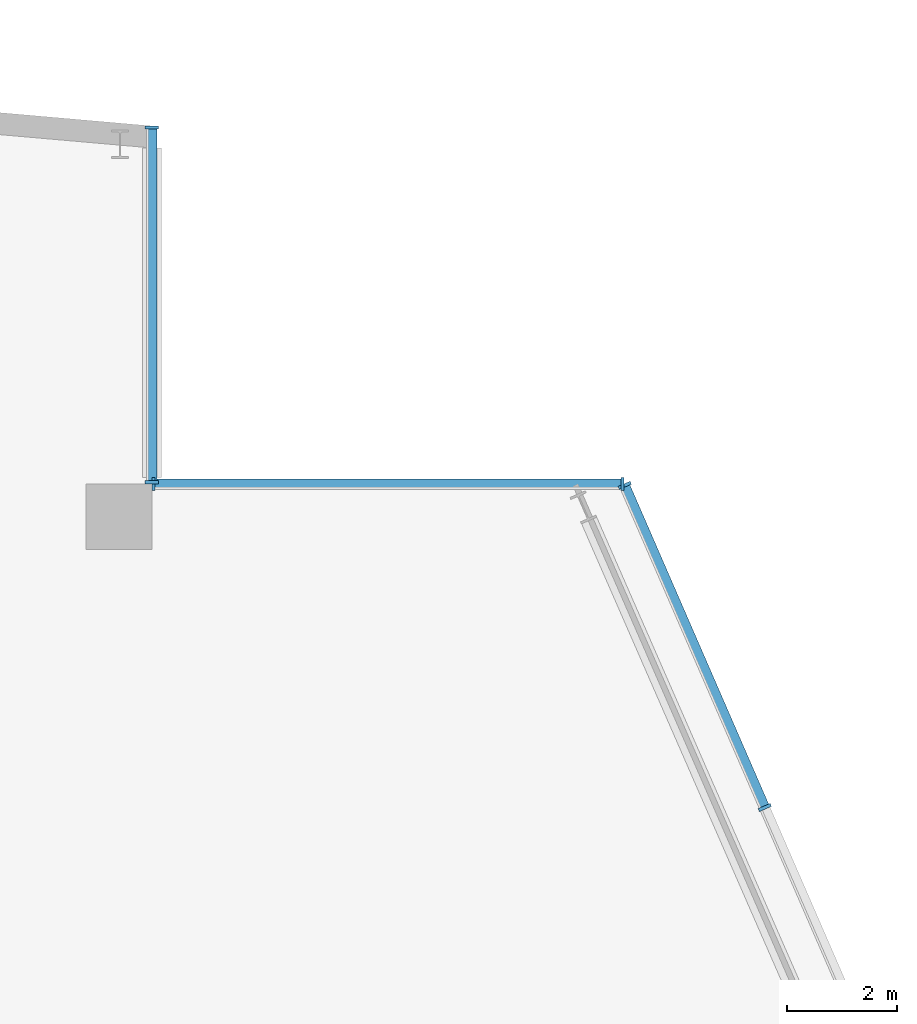
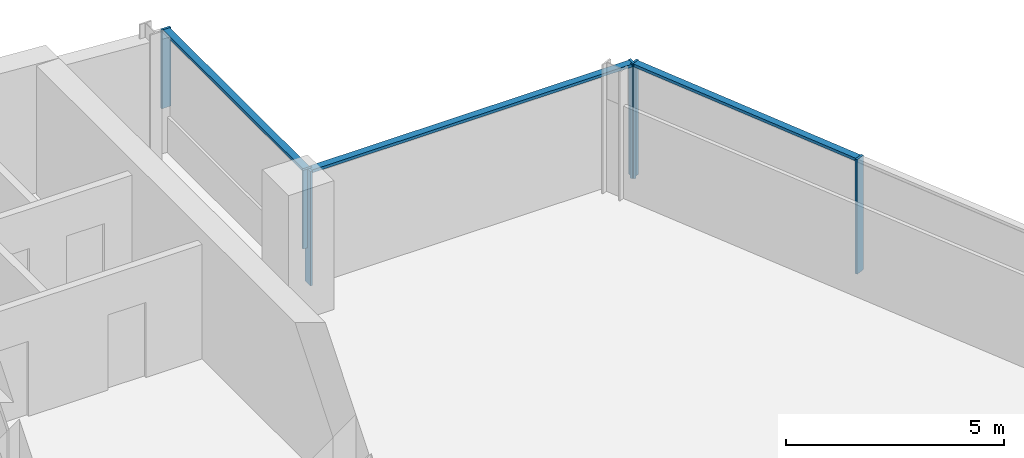
# One storey, part 10 of 22: 9 members, 3 elements without a shape of their own.
"""IFC4 building model written with IfcOpenShell, lengths in metres."""

from ifc_helpers import new_model, si_unit, direction, frame, origin, origin_2d, place, context, subcontext, project, spatial, rectangle, extrude, material, material_profile, profile_set, type_object, element, aggregate, save


model = new_model("IFC4")

# Units and contexts
model_context = context("Model", 3, precision=1e-05, world=origin(), true_north=direction((0.0, 1.0)))
body_context = subcontext(model_context, "Body", "Model", "MODEL_VIEW")
ifc_project = project(units=[si_unit("LENGTHUNIT", "METRE"), si_unit("AREAUNIT", "SQUARE_METRE"), si_unit("VOLUMEUNIT", "CUBIC_METRE"), si_unit("PLANEANGLEUNIT", "RADIAN"), si_unit("MASSUNIT", "GRAM", prefix="KILO")], contexts=[model_context])

# Site, building, storey
site_placement = place(None, origin())
site = spatial("IfcSite", under=ifc_project, at=site_placement, CompositionType="ELEMENT")
building_placement = place(site_placement, origin())
building = spatial("IfcBuilding", under=site, at=building_placement, Name="Wharfspan Tower", CompositionType="ELEMENT")
storey_placement = place(building_placement, frame((0.0, 0.0, 246.699951)))
storey = spatial("IfcBuildingStorey", under=building, at=storey_placement, Name="L62", CompositionType="ELEMENT", Elevation=246.699951)

# Curtain wall, members
ifc_material = material(Name="Aluminium 6063-T6", Category="aluminium")
curtain_wall_type = type_object("IfcCurtainWallType", Name="CURTAIN WALL PROW AND END", PredefinedType="NOTDEFINED", material=ifc_material)
curtain_wall_1_placement = place(storey_placement, origin())
curtain_wall_1 = element("IfcCurtainWall", 1, at=curtain_wall_1_placement, inside=storey, type_object=curtain_wall_type, Name="Curtain wall E", PredefinedType="NOTDEFINED")
ifc_material_profile_1 = material_profile(ifc_material, rectangle(XDim=0.23999, YDim=0.060059, at=origin_2d()))
ifc_profile_set_1 = profile_set([ifc_material_profile_1], Name="Aluminium 6063-T6")
member_type_1 = type_object("IfcMemberType", Name="MULLION PROW AND END 60x240", PredefinedType="MULLION", material=ifc_profile_set_1)
member_1_placement = place(storey_placement, frame((72.173828, 36.100098, 0.0), z_axis=(0.0, 0.0, 1.0), x_axis=(-0.917072, -0.398727, 0.0)))
member_1 = element("IfcMember", 2, at=member_1_placement, type_object=member_type_1, Name="Curtain wall E mullion 6", PredefinedType="MULLION", context=body_context, shape_type="SweptSolid", body=[
    extrude(rectangle(XDim=0.23999, YDim=0.060059, at=origin_2d()), origin(), (0.0, 0.0, 1.0), 3.199951),
])
member_2_placement = place(storey_placement, frame((69.620605, 41.972412, 0.0), z_axis=(0.0, 0.0, 1.0), x_axis=(-0.917072, -0.398727, 0.0)))
member_2 = element("IfcMember", 3, at=member_2_placement, type_object=member_type_1, Name="Curtain wall E mullion 7", PredefinedType="MULLION", context=body_context, shape_type="SweptSolid", body=[
    extrude(rectangle(XDim=0.23999, YDim=0.060059, at=origin_2d()), origin(), (0.0, 0.0, 1.0), 3.199951),
])

curtain_wall_2_placement = place(storey_placement, origin())
curtain_wall_2 = element("IfcCurtainWall", 4, at=curtain_wall_2_placement, inside=storey, type_object=curtain_wall_type, Name="Curtain wall NRE-H", PredefinedType="NOTDEFINED")
member_3_placement = place(storey_placement, frame((69.578613, 42.0, 0.0), z_axis=(0.0, 0.0, 1.0), x_axis=(0.0, -1.0, 0.0)))
member_3 = element("IfcMember", 5, at=member_3_placement, type_object=member_type_1, Name="Curtain wall NRE-H mullion 1", PredefinedType="MULLION", context=body_context, shape_type="SweptSolid", body=[
    extrude(rectangle(XDim=0.23999, YDim=0.060059, at=origin_2d()), origin(), (0.0, 0.0, 1.0), 3.199951),
])
member_4_placement = place(storey_placement, frame((61.030029, 42.0, 0.0), z_axis=(0.0, 0.0, 1.0), x_axis=(0.0, -1.0, 0.0)))
member_4 = element("IfcMember", 6, at=member_4_placement, type_object=member_type_1, Name="Curtain wall NRE-H mullion 2", PredefinedType="MULLION", context=body_context, shape_type="SweptSolid", body=[
    extrude(rectangle(XDim=0.23999, YDim=0.060059, at=origin_2d()), origin(), (0.0, 0.0, 1.0), 3.199951),
])

curtain_wall_3_placement = place(storey_placement, origin())
curtain_wall_3 = element("IfcCurtainWall", 7, at=curtain_wall_3_placement, inside=storey, type_object=curtain_wall_type, Name="Curtain wall NRE-V", PredefinedType="NOTDEFINED")
member_5_placement = place(storey_placement, frame((61.0, 42.030029, 1.0), z_axis=(0.0, 0.0, 1.0), x_axis=(-1.0, 0.0, 0.0)))
member_5 = element("IfcMember", 8, at=member_5_placement, type_object=member_type_1, Name="Curtain wall NRE-V mullion 1", PredefinedType="MULLION", context=body_context, shape_type="SweptSolid", body=[
    extrude(rectangle(XDim=0.23999, YDim=0.060059, at=origin_2d()), origin(), (0.0, 0.0, 1.0), 2.199951),
])
member_6_placement = place(storey_placement, frame((61.0, 48.494873, 1.0), z_axis=(0.0, 0.0, 1.0), x_axis=(-1.0, 0.0, 0.0)))
member_6 = element("IfcMember", 9, at=member_6_placement, type_object=member_type_1, Name="Curtain wall NRE-V mullion 2", PredefinedType="MULLION", context=body_context, shape_type="SweptSolid", body=[
    extrude(rectangle(XDim=0.23999, YDim=0.060059, at=origin_2d()), origin(), (0.0, 0.0, 1.0), 2.199951),
])

# Member
ifc_material_profile_2 = material_profile(ifc_material, rectangle(XDim=0.179932, YDim=0.080078, at=origin_2d()))
ifc_profile_set_2 = profile_set([ifc_material_profile_2], Name="Aluminium 6063-T6")
member_type_2 = type_object("IfcMemberType", Name="TRANSOM PROW AND END 80x180", PredefinedType="USERDEFINED", material=ifc_profile_set_2)
member_7_placement = place(storey_placement, frame((72.161865, 36.127441, 3.160156), z_axis=(-0.398712, 0.917076, 0.0), x_axis=(-0.917076, -0.398712, 0.0)))
member_7 = element("IfcMember", 10, at=member_7_placement, type_object=member_type_2, Name="Curtain wall E transom 6", ObjectType="TRANSOM", PredefinedType="USERDEFINED", context=body_context, shape_type="SweptSolid", body=[
    extrude(rectangle(XDim=0.179932, YDim=0.080078, at=origin_2d()), origin(), (0.0, 0.0, 1.0), 6.34375),
])

aggregate(curtain_wall_1, [member_1, member_2, member_7])

member_8_placement = place(storey_placement, frame((69.548584, 42.0, 3.160156), z_axis=(-1.0, 0.0, 0.0), x_axis=(0.0, -1.0, 0.0)))
member_8 = element("IfcMember", 11, at=member_8_placement, type_object=member_type_2, Name="Curtain wall NRE-H transom 1", ObjectType="TRANSOM", PredefinedType="USERDEFINED", context=body_context, shape_type="SweptSolid", body=[
    extrude(rectangle(XDim=0.179932, YDim=0.080078, at=origin_2d()), origin(), (0.0, 0.0, 1.0), 8.488525),
])

aggregate(curtain_wall_2, [member_3, member_4, member_8])

member_9_placement = place(storey_placement, frame((61.0, 42.060059, 3.160156), z_axis=(0.0, 1.0, 0.0), x_axis=(-1.0, 0.0, 0.0)))
member_9 = element("IfcMember", 12, at=member_9_placement, type_object=member_type_2, Name="Curtain wall NRE-V transom 1", ObjectType="TRANSOM", PredefinedType="USERDEFINED", context=body_context, shape_type="SweptSolid", body=[
    extrude(rectangle(XDim=0.179932, YDim=0.080078, at=origin_2d()), origin(), (0.0, 0.0, 1.0), 6.404785),
])

aggregate(curtain_wall_3, [member_5, member_6, member_9])

save(model, "model.ifc")
